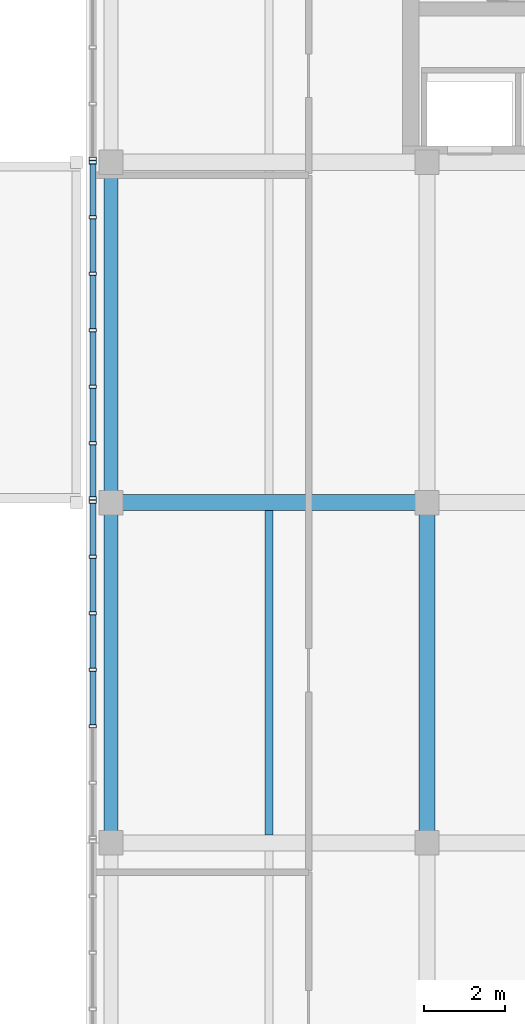
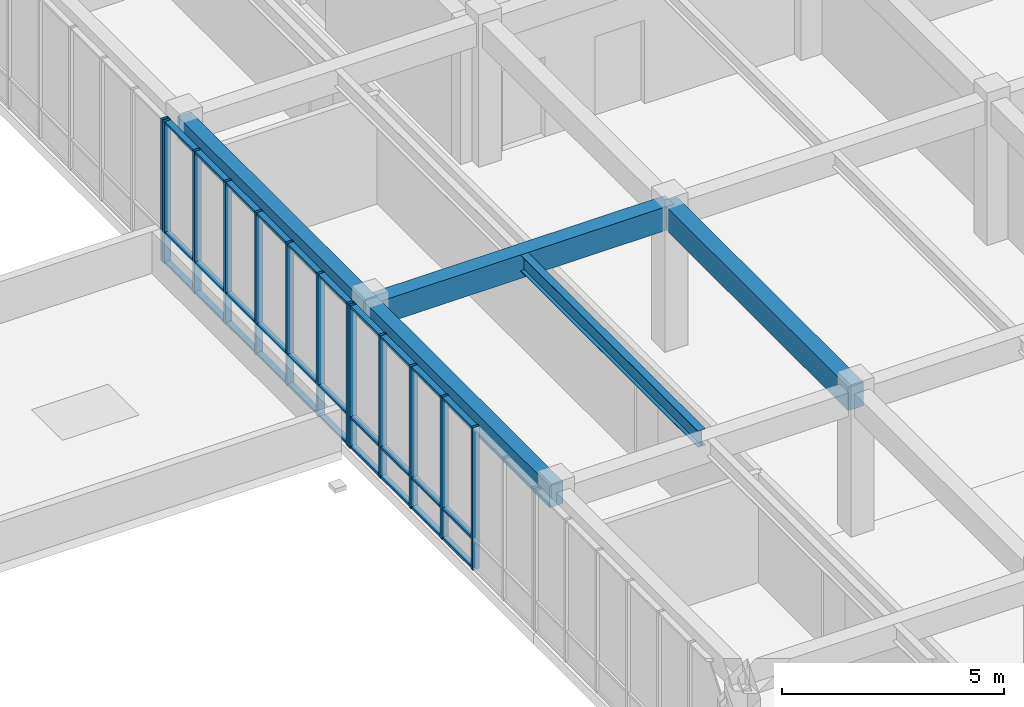
# One storey, part 57 of 123: 43 members, 5 beams, 3 elements without a shape of their own.
"""IFC4 building model written with IfcOpenShell, lengths in metres."""

from ifc_helpers import new_model, si_unit, direction, frame, origin, origin_2d, place, context, subcontext, project, spatial, rectangle, hollow_rectangle, i_section, extrude, material, layer, layer_set, material_profile, profile_set, type_object, element, aggregate, save


model = new_model("IFC4")

# Units and contexts
model_context = context("Model", 3, precision=1e-05, world=origin(), true_north=direction((0.0, 1.0)))
body_context = subcontext(model_context, "Body", "Model", "MODEL_VIEW")
ifc_project = project(units=[si_unit("LENGTHUNIT", "METRE"), si_unit("AREAUNIT", "SQUARE_METRE"), si_unit("VOLUMEUNIT", "CUBIC_METRE"), si_unit("PLANEANGLEUNIT", "RADIAN"), si_unit("MASSUNIT", "GRAM", prefix="KILO")], contexts=[model_context])

# Site, building, storey
site_placement = place(None, origin())
site = spatial("IfcSite", under=ifc_project, at=site_placement, CompositionType="ELEMENT")
building_placement = place(site_placement, origin())
building = spatial("IfcBuilding", under=site, at=building_placement, Name="Zayran Congress Hotel", CompositionType="ELEMENT")
storey_placement = place(building_placement, frame((0.0, 0.0, 15.0)))
storey = spatial("IfcBuildingStorey", under=building, at=storey_placement, Name="L03", CompositionType="ELEMENT", Elevation=15.0)

# Beams
ifc_material_1 = material(Name="Concrete C40/50", Category="concrete")
ifc_material_profile_1 = material_profile(ifc_material_1, rectangle(XDim=0.39990234375, YDim=0.64990234375, at=origin_2d()), Name="RC 400x650")
ifc_profile_set_1 = profile_set([ifc_material_profile_1], Name="Concrete C40/50")
beam_type_1 = type_object("IfcBeamType", Name="TP-BM-03", PredefinedType="BEAM", material=ifc_profile_set_1)
beam_1_placement = place(storey_placement, frame((109.800048828125, 76.0, 3.594970703125), z_axis=(1.0, 0.0, 0.0), x_axis=(0.0, 1.0, 0.0)))
element("IfcBeam", 1, at=beam_1_placement, inside=storey, type_object=beam_type_1, Name="BM-V4-L03-1503", PredefinedType="BEAM", context=body_context, shape_type="SweptSolid", body=[
    extrude(rectangle(XDim=0.39990234375, YDim=0.64990234375, at=origin_2d()), origin(), (0.0, 0.0, 1.0), 7.800048828125),
])
beam_2_placement = place(storey_placement, frame((117.60009765625, 67.60009765625, 3.594970703125), z_axis=(0.0, 1.0, 0.0), x_axis=(-1.0, 0.0, 0.0)))
element("IfcBeam", 2, at=beam_2_placement, inside=storey, type_object=beam_type_1, Name="BM-V4-L03-1524", PredefinedType="BEAM", context=body_context, shape_type="SweptSolid", body=[
    extrude(rectangle(XDim=0.39990234375, YDim=0.64990234375, at=origin_2d()), origin(), (0.0, 0.0, 1.0), 8.39990234375),
])
ifc_material_profile_2 = material_profile(ifc_material_1, rectangle(XDim=0.35009765625, YDim=0.60009765625, at=origin_2d()), Name="RC 350x600")
ifc_profile_set_2 = profile_set([ifc_material_profile_2], Name="Concrete C40/50")
beam_type_2 = type_object("IfcBeamType", Name="TP-SP-01", PredefinedType="SPANDREL", material=ifc_profile_set_2)
for number, where, z_axis, x_axis, name in (
    (3, (109.800048828125, 67.60009765625, 3.6201171875), (0.0, 1.0, 0.0), (-1.0, 0.0, 0.0), "BM-V4-L03-1518"),
    (4, (109.800048828125, 76.0, 3.6201171875), (0.0, 1.0, 0.0), (-1.0, 0.0, 0.0), "BM-V4-L03-1519"),
):
    element("IfcBeam", number, at=place(storey_placement, frame(where, z_axis=z_axis, x_axis=x_axis)), inside=storey, type_object=beam_type_2, Name=name, PredefinedType="SPANDREL", context=body_context, shape_type="SweptSolid", body=[
        extrude(rectangle(XDim=0.35009765625, YDim=0.60009765625, at=origin_2d()), origin(), (0.0, 0.0, 1.0), 8.39990234375),
    ])
ifc_material_2 = material(Name="Steel S355", Category="steel")
ifc_material_profile_3 = material_profile(ifc_material_2, i_section(OverallWidth=0.18994140625, OverallDepth=0.449951171875, WebThickness=0.009521484375, FlangeThickness=0.0146484375, at=origin_2d()), Name="IPE 450")
ifc_profile_set_3 = profile_set([ifc_material_profile_3], Name="Steel S355")
beam_type_3 = type_object("IfcBeamType", Name="TP-JS-02", PredefinedType="JOIST", material=ifc_profile_set_3)
beam_3_placement = place(storey_placement, frame((113.699951171875, 67.800048828125, 3.695068359375), z_axis=(0.0, 1.0, 0.0), x_axis=(-1.0, 0.0, 0.0)))
element("IfcBeam", 5, at=beam_3_placement, inside=storey, type_object=beam_type_3, Name="JST-V4-L03-1544", PredefinedType="JOIST", context=body_context, shape_type="SweptSolid", body=[
    extrude(i_section(OverallWidth=0.18994140625, OverallDepth=0.449951171875, WebThickness=0.009521484375, FlangeThickness=0.0146484375, at=origin_2d()), origin(), (0.0, 0.0, 1.0), 8.0),
])

# Curtain wall, members
ifc_material_3 = material(Name="Anodised aluminium and low-E insulated glass", Category="aluminium")
ifc_layer_1 = layer(ifc_material_3, 0.179931640625)
ifc_layer_set_1 = layer_set([ifc_layer_1], Name="Anodised aluminium and low-E insulated glass")
curtain_wall_type_1 = type_object("IfcCurtainWallType", Name="CW-V4W-L03-CW-51-8368-3920", PredefinedType="USERDEFINED", material=ifc_layer_set_1)
curtain_wall_1_placement = place(storey_placement, origin())
curtain_wall_1 = element("IfcCurtainWall", 6, at=curtain_wall_1_placement, inside=storey, type_object=curtain_wall_type_1, Name="CW-V4W-L03-3", ObjectType="CURTAIN WALL", PredefinedType="USERDEFINED")
ifc_material_4 = material(Name="Anodised aluminium framing", Category="aluminium")
ifc_material_profile_4 = material_profile(ifc_material_4, hollow_rectangle(XDim=0.080078125, YDim=0.179931640625, WallThickness=0.0048828125, at=origin_2d()), Name="RHS 180x80x5")
ifc_profile_set_4 = profile_set([ifc_material_profile_4], Name="Anodised aluminium framing")
member_type_1 = type_object("IfcMemberType", Name="TP-CWM-01", PredefinedType="MULLION", material=ifc_profile_set_4)
member_1_placement = place(storey_placement, frame((109.35009765625, 76.01904296875, 0.0), z_axis=(0.0, 0.0, 1.0), x_axis=(0.0, 1.0, 0.0)))
member_1 = element("IfcMember", 7, at=member_1_placement, type_object=member_type_1, Name="CW-V4W-L03-3-M00", PredefinedType="MULLION", context=body_context, shape_type="SweptSolid", body=[
    extrude(hollow_rectangle(XDim=0.080078125, YDim=0.179931640625, WallThickness=0.0048828125, at=origin_2d()), origin(), (0.0, 0.0, 1.0), 3.919921875),
])
member_2_placement = place(storey_placement, frame((109.35009765625, 74.664306640625, 0.0), z_axis=(0.0, 0.0, 1.0), x_axis=(0.0, 1.0, 0.0)))
member_2 = element("IfcMember", 8, at=member_2_placement, type_object=member_type_1, Name="CW-V4W-L03-3-M01", PredefinedType="MULLION", context=body_context, shape_type="SweptSolid", body=[
    extrude(hollow_rectangle(XDim=0.080078125, YDim=0.179931640625, WallThickness=0.0048828125, at=origin_2d()), origin(), (0.0, 0.0, 1.0), 3.919921875),
])
member_3_placement = place(storey_placement, frame((109.35009765625, 73.269775390625, 0.0), z_axis=(0.0, 0.0, 1.0), x_axis=(0.0, 1.0, 0.0)))
member_3 = element("IfcMember", 9, at=member_3_placement, type_object=member_type_1, Name="CW-V4W-L03-3-M02", PredefinedType="MULLION", context=body_context, shape_type="SweptSolid", body=[
    extrude(hollow_rectangle(XDim=0.080078125, YDim=0.179931640625, WallThickness=0.0048828125, at=origin_2d()), origin(), (0.0, 0.0, 1.0), 3.919921875),
])
member_4_placement = place(storey_placement, frame((109.35009765625, 71.875, 0.0), z_axis=(0.0, 0.0, 1.0), x_axis=(0.0, 1.0, 0.0)))
member_4 = element("IfcMember", 10, at=member_4_placement, type_object=member_type_1, Name="CW-V4W-L03-3-M03", PredefinedType="MULLION", context=body_context, shape_type="SweptSolid", body=[
    extrude(hollow_rectangle(XDim=0.080078125, YDim=0.179931640625, WallThickness=0.0048828125, at=origin_2d()), origin(), (0.0, 0.0, 1.0), 3.919921875),
])
member_5_placement = place(storey_placement, frame((109.35009765625, 70.480224609375, 0.0), z_axis=(0.0, 0.0, 1.0), x_axis=(0.0, 1.0, 0.0)))
member_5 = element("IfcMember", 11, at=member_5_placement, type_object=member_type_1, Name="CW-V4W-L03-3-M04", PredefinedType="MULLION", context=body_context, shape_type="SweptSolid", body=[
    extrude(hollow_rectangle(XDim=0.080078125, YDim=0.179931640625, WallThickness=0.0048828125, at=origin_2d()), origin(), (0.0, 0.0, 1.0), 3.919921875),
])

ifc_layer_2 = layer(ifc_material_3, 0.179931640625)
ifc_layer_set_2 = layer_set([ifc_layer_2], Name="Anodised aluminium and low-E insulated glass")
curtain_wall_type_2 = type_object("IfcCurtainWallType", Name="CW-V4W-L03-CW-52-8369-3920", PredefinedType="USERDEFINED", material=ifc_layer_set_2)
curtain_wall_2_placement = place(storey_placement, origin())
curtain_wall_2 = element("IfcCurtainWall", 12, at=curtain_wall_2_placement, inside=storey, type_object=curtain_wall_type_2, Name="CW-V4W-L03-4", ObjectType="CURTAIN WALL", PredefinedType="USERDEFINED")
member_6_placement = place(storey_placement, frame((109.35009765625, 84.39794921875, 0.0), z_axis=(0.0, 0.0, 1.0), x_axis=(0.0, 1.0, 0.0)))
member_6 = element("IfcMember", 13, at=member_6_placement, type_object=member_type_1, Name="CW-V4W-L03-4-M00", PredefinedType="MULLION", context=body_context, shape_type="SweptSolid", body=[
    extrude(hollow_rectangle(XDim=0.080078125, YDim=0.179931640625, WallThickness=0.0048828125, at=origin_2d()), origin(), (0.0, 0.0, 1.0), 3.919921875),
])
member_7_placement = place(storey_placement, frame((109.35009765625, 83.043212890625, 0.0), z_axis=(0.0, 0.0, 1.0), x_axis=(0.0, 1.0, 0.0)))
member_7 = element("IfcMember", 14, at=member_7_placement, type_object=member_type_1, Name="CW-V4W-L03-4-M01", PredefinedType="MULLION", context=body_context, shape_type="SweptSolid", body=[
    extrude(hollow_rectangle(XDim=0.080078125, YDim=0.179931640625, WallThickness=0.0048828125, at=origin_2d()), origin(), (0.0, 0.0, 1.0), 3.919921875),
])
member_8_placement = place(storey_placement, frame((109.35009765625, 81.648193359375, 0.0), z_axis=(0.0, 0.0, 1.0), x_axis=(0.0, 1.0, 0.0)))
member_8 = element("IfcMember", 15, at=member_8_placement, type_object=member_type_1, Name="CW-V4W-L03-4-M02", PredefinedType="MULLION", context=body_context, shape_type="SweptSolid", body=[
    extrude(hollow_rectangle(XDim=0.080078125, YDim=0.179931640625, WallThickness=0.0048828125, at=origin_2d()), origin(), (0.0, 0.0, 1.0), 3.919921875),
])
member_9_placement = place(storey_placement, frame((109.35009765625, 80.25341796875, 0.0), z_axis=(0.0, 0.0, 1.0), x_axis=(0.0, 1.0, 0.0)))
member_9 = element("IfcMember", 16, at=member_9_placement, type_object=member_type_1, Name="CW-V4W-L03-4-M03", PredefinedType="MULLION", context=body_context, shape_type="SweptSolid", body=[
    extrude(hollow_rectangle(XDim=0.080078125, YDim=0.179931640625, WallThickness=0.0048828125, at=origin_2d()), origin(), (0.0, 0.0, 1.0), 3.919921875),
])
member_10_placement = place(storey_placement, frame((109.35009765625, 78.858642578125, 0.0), z_axis=(0.0, 0.0, 1.0), x_axis=(0.0, 1.0, 0.0)))
member_10 = element("IfcMember", 17, at=member_10_placement, type_object=member_type_1, Name="CW-V4W-L03-4-M04", PredefinedType="MULLION", context=body_context, shape_type="SweptSolid", body=[
    extrude(hollow_rectangle(XDim=0.080078125, YDim=0.179931640625, WallThickness=0.0048828125, at=origin_2d()), origin(), (0.0, 0.0, 1.0), 3.919921875),
])
member_11_placement = place(storey_placement, frame((109.35009765625, 77.4638671875, 0.0), z_axis=(0.0, 0.0, 1.0), x_axis=(0.0, 1.0, 0.0)))
member_11 = element("IfcMember", 18, at=member_11_placement, type_object=member_type_1, Name="CW-V4W-L03-4-M05", PredefinedType="MULLION", context=body_context, shape_type="SweptSolid", body=[
    extrude(hollow_rectangle(XDim=0.080078125, YDim=0.179931640625, WallThickness=0.0048828125, at=origin_2d()), origin(), (0.0, 0.0, 1.0), 3.919921875),
])
member_12_placement = place(storey_placement, frame((109.35009765625, 76.10888671875, 0.0), z_axis=(0.0, 0.0, 1.0), x_axis=(0.0, 1.0, 0.0)))
member_12 = element("IfcMember", 19, at=member_12_placement, type_object=member_type_1, Name="CW-V4W-L03-4-M06", PredefinedType="MULLION", context=body_context, shape_type="SweptSolid", body=[
    extrude(hollow_rectangle(XDim=0.080078125, YDim=0.179931640625, WallThickness=0.0048828125, at=origin_2d()), origin(), (0.0, 0.0, 1.0), 3.919921875),
])

# Curtain wall, member
ifc_layer_3 = layer(ifc_material_3, 0.179931640625)
ifc_layer_set_3 = layer_set([ifc_layer_3], Name="Anodised aluminium and low-E insulated glass")
curtain_wall_type_3 = type_object("IfcCurtainWallType", Name="CW-V4W-L03-CW-53-8368-3920", PredefinedType="USERDEFINED", material=ifc_layer_set_3)
curtain_wall_3_placement = place(storey_placement, origin())
curtain_wall_3 = element("IfcCurtainWall", 20, at=curtain_wall_3_placement, inside=storey, type_object=curtain_wall_type_3, Name="CW-V4W-L03-5", ObjectType="CURTAIN WALL", PredefinedType="USERDEFINED")
member_13_placement = place(storey_placement, frame((109.35009765625, 84.488037109375, 0.0), z_axis=(0.0, 0.0, 1.0), x_axis=(0.0, 1.0, 0.0)))
member_13 = element("IfcMember", 21, at=member_13_placement, type_object=member_type_1, Name="CW-V4W-L03-5-M06", PredefinedType="MULLION", context=body_context, shape_type="SweptSolid", body=[
    extrude(hollow_rectangle(XDim=0.080078125, YDim=0.179931640625, WallThickness=0.0048828125, at=origin_2d()), origin(), (0.0, 0.0, 1.0), 3.919921875),
])
aggregate(curtain_wall_3, [member_13])

# Member
ifc_material_profile_5 = material_profile(ifc_material_4, hollow_rectangle(XDim=0.06005859375, YDim=0.14990234375, WallThickness=0.00390625, at=origin_2d()), Name="RHS 150x60x4")
ifc_profile_set_5 = profile_set([ifc_material_profile_5], Name="Anodised aluminium framing")
member_type_2 = type_object("IfcMemberType", Name="TP-CWT-01", PredefinedType="USERDEFINED", material=ifc_profile_set_5)
member_14_placement = place(storey_placement, frame((109.35009765625, 75.97900390625, 0.030029296875), z_axis=(0.0, -1.0, 0.0), x_axis=(0.0, 0.0, 1.0)))
member_14 = element("IfcMember", 22, at=member_14_placement, type_object=member_type_2, Name="CW-V4W-L03-3-T00-0", ObjectType="TRANSOM", PredefinedType="USERDEFINED", context=body_context, shape_type="SweptSolid", body=[
    extrude(hollow_rectangle(XDim=0.06005859375, YDim=0.14990234375, WallThickness=0.00390625, at=origin_2d()), origin(), (0.0, 0.0, 1.0), 1.274658203125),
])

member_15_placement = place(storey_placement, frame((109.35009765625, 75.97900390625, 0.840087890625), z_axis=(0.0, -1.0, 0.0), x_axis=(0.0, 0.0, 1.0)))
member_15 = element("IfcMember", 23, at=member_15_placement, type_object=member_type_2, Name="CW-V4W-L03-3-T00-1", ObjectType="TRANSOM", PredefinedType="USERDEFINED", context=body_context, shape_type="SweptSolid", body=[
    extrude(hollow_rectangle(XDim=0.06005859375, YDim=0.14990234375, WallThickness=0.00390625, at=origin_2d()), origin(), (0.0, 0.0, 1.0), 1.274658203125),
])

member_16_placement = place(storey_placement, frame((109.35009765625, 75.97900390625, 3.889892578125), z_axis=(0.0, -1.0, 0.0), x_axis=(0.0, 0.0, 1.0)))
member_16 = element("IfcMember", 24, at=member_16_placement, type_object=member_type_2, Name="CW-V4W-L03-3-T00-2", ObjectType="TRANSOM", PredefinedType="USERDEFINED", context=body_context, shape_type="SweptSolid", body=[
    extrude(hollow_rectangle(XDim=0.06005859375, YDim=0.14990234375, WallThickness=0.00390625, at=origin_2d()), origin(), (0.0, 0.0, 1.0), 1.274658203125),
])

member_17_placement = place(storey_placement, frame((109.35009765625, 74.624267578125, 0.030029296875), z_axis=(0.0, -1.0, 0.0), x_axis=(0.0, 0.0, 1.0)))
member_17 = element("IfcMember", 25, at=member_17_placement, type_object=member_type_2, Name="CW-V4W-L03-3-T01-0", ObjectType="TRANSOM", PredefinedType="USERDEFINED", context=body_context, shape_type="SweptSolid", body=[
    extrude(hollow_rectangle(XDim=0.06005859375, YDim=0.14990234375, WallThickness=0.00390625, at=origin_2d()), origin(), (0.0, 0.0, 1.0), 1.314453125),
])

member_18_placement = place(storey_placement, frame((109.35009765625, 74.624267578125, 0.840087890625), z_axis=(0.0, -1.0, 0.0), x_axis=(0.0, 0.0, 1.0)))
member_18 = element("IfcMember", 26, at=member_18_placement, type_object=member_type_2, Name="CW-V4W-L03-3-T01-1", ObjectType="TRANSOM", PredefinedType="USERDEFINED", context=body_context, shape_type="SweptSolid", body=[
    extrude(hollow_rectangle(XDim=0.06005859375, YDim=0.14990234375, WallThickness=0.00390625, at=origin_2d()), origin(), (0.0, 0.0, 1.0), 1.314453125),
])

member_19_placement = place(storey_placement, frame((109.35009765625, 74.624267578125, 3.889892578125), z_axis=(0.0, -1.0, 0.0), x_axis=(0.0, 0.0, 1.0)))
member_19 = element("IfcMember", 27, at=member_19_placement, type_object=member_type_2, Name="CW-V4W-L03-3-T01-2", ObjectType="TRANSOM", PredefinedType="USERDEFINED", context=body_context, shape_type="SweptSolid", body=[
    extrude(hollow_rectangle(XDim=0.06005859375, YDim=0.14990234375, WallThickness=0.00390625, at=origin_2d()), origin(), (0.0, 0.0, 1.0), 1.314453125),
])

member_20_placement = place(storey_placement, frame((109.35009765625, 73.229736328125, 0.030029296875), z_axis=(0.0, -1.0, 0.0), x_axis=(0.0, 0.0, 1.0)))
member_20 = element("IfcMember", 28, at=member_20_placement, type_object=member_type_2, Name="CW-V4W-L03-3-T02-0", ObjectType="TRANSOM", PredefinedType="USERDEFINED", context=body_context, shape_type="SweptSolid", body=[
    extrude(hollow_rectangle(XDim=0.06005859375, YDim=0.14990234375, WallThickness=0.00390625, at=origin_2d()), origin(), (0.0, 0.0, 1.0), 1.314697265625),
])

member_21_placement = place(storey_placement, frame((109.35009765625, 73.229736328125, 0.840087890625), z_axis=(0.0, -1.0, 0.0), x_axis=(0.0, 0.0, 1.0)))
member_21 = element("IfcMember", 29, at=member_21_placement, type_object=member_type_2, Name="CW-V4W-L03-3-T02-1", ObjectType="TRANSOM", PredefinedType="USERDEFINED", context=body_context, shape_type="SweptSolid", body=[
    extrude(hollow_rectangle(XDim=0.06005859375, YDim=0.14990234375, WallThickness=0.00390625, at=origin_2d()), origin(), (0.0, 0.0, 1.0), 1.314697265625),
])

member_22_placement = place(storey_placement, frame((109.35009765625, 73.229736328125, 3.889892578125), z_axis=(0.0, -1.0, 0.0), x_axis=(0.0, 0.0, 1.0)))
member_22 = element("IfcMember", 30, at=member_22_placement, type_object=member_type_2, Name="CW-V4W-L03-3-T02-2", ObjectType="TRANSOM", PredefinedType="USERDEFINED", context=body_context, shape_type="SweptSolid", body=[
    extrude(hollow_rectangle(XDim=0.06005859375, YDim=0.14990234375, WallThickness=0.00390625, at=origin_2d()), origin(), (0.0, 0.0, 1.0), 1.314697265625),
])

member_23_placement = place(storey_placement, frame((109.35009765625, 71.8349609375, 0.030029296875), z_axis=(0.0, -1.0, 0.0), x_axis=(0.0, 0.0, 1.0)))
member_23 = element("IfcMember", 31, at=member_23_placement, type_object=member_type_2, Name="CW-V4W-L03-3-T03-0", ObjectType="TRANSOM", PredefinedType="USERDEFINED", context=body_context, shape_type="SweptSolid", body=[
    extrude(hollow_rectangle(XDim=0.06005859375, YDim=0.14990234375, WallThickness=0.00390625, at=origin_2d()), origin(), (0.0, 0.0, 1.0), 1.314697265625),
])

member_24_placement = place(storey_placement, frame((109.35009765625, 71.8349609375, 0.840087890625), z_axis=(0.0, -1.0, 0.0), x_axis=(0.0, 0.0, 1.0)))
member_24 = element("IfcMember", 32, at=member_24_placement, type_object=member_type_2, Name="CW-V4W-L03-3-T03-1", ObjectType="TRANSOM", PredefinedType="USERDEFINED", context=body_context, shape_type="SweptSolid", body=[
    extrude(hollow_rectangle(XDim=0.06005859375, YDim=0.14990234375, WallThickness=0.00390625, at=origin_2d()), origin(), (0.0, 0.0, 1.0), 1.314697265625),
])

member_25_placement = place(storey_placement, frame((109.35009765625, 71.8349609375, 3.889892578125), z_axis=(0.0, -1.0, 0.0), x_axis=(0.0, 0.0, 1.0)))
member_25 = element("IfcMember", 33, at=member_25_placement, type_object=member_type_2, Name="CW-V4W-L03-3-T03-2", ObjectType="TRANSOM", PredefinedType="USERDEFINED", context=body_context, shape_type="SweptSolid", body=[
    extrude(hollow_rectangle(XDim=0.06005859375, YDim=0.14990234375, WallThickness=0.00390625, at=origin_2d()), origin(), (0.0, 0.0, 1.0), 1.314697265625),
])

aggregate(curtain_wall_1, [member_1, member_2, member_3, member_4, member_5, member_14, member_15, member_16, member_17, member_18, member_19, member_20, member_21, member_22, member_23, member_24, member_25])

member_26_placement = place(storey_placement, frame((109.35009765625, 84.35791015625, 0.030029296875), z_axis=(0.0, -1.0, 0.0), x_axis=(0.0, 0.0, 1.0)))
member_26 = element("IfcMember", 34, at=member_26_placement, type_object=member_type_2, Name="CW-V4W-L03-4-T00-0", ObjectType="TRANSOM", PredefinedType="USERDEFINED", context=body_context, shape_type="SweptSolid", body=[
    extrude(hollow_rectangle(XDim=0.06005859375, YDim=0.14990234375, WallThickness=0.00390625, at=origin_2d()), origin(), (0.0, 0.0, 1.0), 1.274658203125),
])

member_27_placement = place(storey_placement, frame((109.35009765625, 84.35791015625, 0.840087890625), z_axis=(0.0, -1.0, 0.0), x_axis=(0.0, 0.0, 1.0)))
member_27 = element("IfcMember", 35, at=member_27_placement, type_object=member_type_2, Name="CW-V4W-L03-4-T00-1", ObjectType="TRANSOM", PredefinedType="USERDEFINED", context=body_context, shape_type="SweptSolid", body=[
    extrude(hollow_rectangle(XDim=0.06005859375, YDim=0.14990234375, WallThickness=0.00390625, at=origin_2d()), origin(), (0.0, 0.0, 1.0), 1.274658203125),
])

member_28_placement = place(storey_placement, frame((109.35009765625, 84.35791015625, 3.889892578125), z_axis=(0.0, -1.0, 0.0), x_axis=(0.0, 0.0, 1.0)))
member_28 = element("IfcMember", 36, at=member_28_placement, type_object=member_type_2, Name="CW-V4W-L03-4-T00-2", ObjectType="TRANSOM", PredefinedType="USERDEFINED", context=body_context, shape_type="SweptSolid", body=[
    extrude(hollow_rectangle(XDim=0.06005859375, YDim=0.14990234375, WallThickness=0.00390625, at=origin_2d()), origin(), (0.0, 0.0, 1.0), 1.274658203125),
])

member_29_placement = place(storey_placement, frame((109.35009765625, 83.003173828125, 0.030029296875), z_axis=(0.0, -1.0, 0.0), x_axis=(0.0, 0.0, 1.0)))
member_29 = element("IfcMember", 37, at=member_29_placement, type_object=member_type_2, Name="CW-V4W-L03-4-T01-0", ObjectType="TRANSOM", PredefinedType="USERDEFINED", context=body_context, shape_type="SweptSolid", body=[
    extrude(hollow_rectangle(XDim=0.06005859375, YDim=0.14990234375, WallThickness=0.00390625, at=origin_2d()), origin(), (0.0, 0.0, 1.0), 1.31494140625),
])

member_30_placement = place(storey_placement, frame((109.35009765625, 83.003173828125, 0.840087890625), z_axis=(0.0, -1.0, 0.0), x_axis=(0.0, 0.0, 1.0)))
member_30 = element("IfcMember", 38, at=member_30_placement, type_object=member_type_2, Name="CW-V4W-L03-4-T01-1", ObjectType="TRANSOM", PredefinedType="USERDEFINED", context=body_context, shape_type="SweptSolid", body=[
    extrude(hollow_rectangle(XDim=0.06005859375, YDim=0.14990234375, WallThickness=0.00390625, at=origin_2d()), origin(), (0.0, 0.0, 1.0), 1.31494140625),
])

member_31_placement = place(storey_placement, frame((109.35009765625, 83.003173828125, 3.889892578125), z_axis=(0.0, -1.0, 0.0), x_axis=(0.0, 0.0, 1.0)))
member_31 = element("IfcMember", 39, at=member_31_placement, type_object=member_type_2, Name="CW-V4W-L03-4-T01-2", ObjectType="TRANSOM", PredefinedType="USERDEFINED", context=body_context, shape_type="SweptSolid", body=[
    extrude(hollow_rectangle(XDim=0.06005859375, YDim=0.14990234375, WallThickness=0.00390625, at=origin_2d()), origin(), (0.0, 0.0, 1.0), 1.31494140625),
])

member_32_placement = place(storey_placement, frame((109.35009765625, 81.6083984375, 0.030029296875), z_axis=(0.0, -1.0, 0.0), x_axis=(0.0, 0.0, 1.0)))
member_32 = element("IfcMember", 40, at=member_32_placement, type_object=member_type_2, Name="CW-V4W-L03-4-T02-0", ObjectType="TRANSOM", PredefinedType="USERDEFINED", context=body_context, shape_type="SweptSolid", body=[
    extrude(hollow_rectangle(XDim=0.06005859375, YDim=0.14990234375, WallThickness=0.00390625, at=origin_2d()), origin(), (0.0, 0.0, 1.0), 1.31494140625),
])

member_33_placement = place(storey_placement, frame((109.35009765625, 81.6083984375, 0.840087890625), z_axis=(0.0, -1.0, 0.0), x_axis=(0.0, 0.0, 1.0)))
member_33 = element("IfcMember", 41, at=member_33_placement, type_object=member_type_2, Name="CW-V4W-L03-4-T02-1", ObjectType="TRANSOM", PredefinedType="USERDEFINED", context=body_context, shape_type="SweptSolid", body=[
    extrude(hollow_rectangle(XDim=0.06005859375, YDim=0.14990234375, WallThickness=0.00390625, at=origin_2d()), origin(), (0.0, 0.0, 1.0), 1.31494140625),
])

member_34_placement = place(storey_placement, frame((109.35009765625, 81.6083984375, 3.889892578125), z_axis=(0.0, -1.0, 0.0), x_axis=(0.0, 0.0, 1.0)))
member_34 = element("IfcMember", 42, at=member_34_placement, type_object=member_type_2, Name="CW-V4W-L03-4-T02-2", ObjectType="TRANSOM", PredefinedType="USERDEFINED", context=body_context, shape_type="SweptSolid", body=[
    extrude(hollow_rectangle(XDim=0.06005859375, YDim=0.14990234375, WallThickness=0.00390625, at=origin_2d()), origin(), (0.0, 0.0, 1.0), 1.31494140625),
])

member_35_placement = place(storey_placement, frame((109.35009765625, 80.21337890625, 0.030029296875), z_axis=(0.0, -1.0, 0.0), x_axis=(0.0, 0.0, 1.0)))
member_35 = element("IfcMember", 43, at=member_35_placement, type_object=member_type_2, Name="CW-V4W-L03-4-T03-0", ObjectType="TRANSOM", PredefinedType="USERDEFINED", context=body_context, shape_type="SweptSolid", body=[
    extrude(hollow_rectangle(XDim=0.06005859375, YDim=0.14990234375, WallThickness=0.00390625, at=origin_2d()), origin(), (0.0, 0.0, 1.0), 1.314697265625),
])

member_36_placement = place(storey_placement, frame((109.35009765625, 80.21337890625, 0.840087890625), z_axis=(0.0, -1.0, 0.0), x_axis=(0.0, 0.0, 1.0)))
member_36 = element("IfcMember", 44, at=member_36_placement, type_object=member_type_2, Name="CW-V4W-L03-4-T03-1", ObjectType="TRANSOM", PredefinedType="USERDEFINED", context=body_context, shape_type="SweptSolid", body=[
    extrude(hollow_rectangle(XDim=0.06005859375, YDim=0.14990234375, WallThickness=0.00390625, at=origin_2d()), origin(), (0.0, 0.0, 1.0), 1.314697265625),
])

member_37_placement = place(storey_placement, frame((109.35009765625, 80.21337890625, 3.889892578125), z_axis=(0.0, -1.0, 0.0), x_axis=(0.0, 0.0, 1.0)))
member_37 = element("IfcMember", 45, at=member_37_placement, type_object=member_type_2, Name="CW-V4W-L03-4-T03-2", ObjectType="TRANSOM", PredefinedType="USERDEFINED", context=body_context, shape_type="SweptSolid", body=[
    extrude(hollow_rectangle(XDim=0.06005859375, YDim=0.14990234375, WallThickness=0.00390625, at=origin_2d()), origin(), (0.0, 0.0, 1.0), 1.314697265625),
])

member_38_placement = place(storey_placement, frame((109.35009765625, 78.818603515625, 0.030029296875), z_axis=(0.0, -1.0, 0.0), x_axis=(0.0, 0.0, 1.0)))
member_38 = element("IfcMember", 46, at=member_38_placement, type_object=member_type_2, Name="CW-V4W-L03-4-T04-0", ObjectType="TRANSOM", PredefinedType="USERDEFINED", context=body_context, shape_type="SweptSolid", body=[
    extrude(hollow_rectangle(XDim=0.06005859375, YDim=0.14990234375, WallThickness=0.00390625, at=origin_2d()), origin(), (0.0, 0.0, 1.0), 1.314697265625),
])

member_39_placement = place(storey_placement, frame((109.35009765625, 78.818603515625, 0.840087890625), z_axis=(0.0, -1.0, 0.0), x_axis=(0.0, 0.0, 1.0)))
member_39 = element("IfcMember", 47, at=member_39_placement, type_object=member_type_2, Name="CW-V4W-L03-4-T04-1", ObjectType="TRANSOM", PredefinedType="USERDEFINED", context=body_context, shape_type="SweptSolid", body=[
    extrude(hollow_rectangle(XDim=0.06005859375, YDim=0.14990234375, WallThickness=0.00390625, at=origin_2d()), origin(), (0.0, 0.0, 1.0), 1.314697265625),
])

member_40_placement = place(storey_placement, frame((109.35009765625, 78.818603515625, 3.889892578125), z_axis=(0.0, -1.0, 0.0), x_axis=(0.0, 0.0, 1.0)))
member_40 = element("IfcMember", 48, at=member_40_placement, type_object=member_type_2, Name="CW-V4W-L03-4-T04-2", ObjectType="TRANSOM", PredefinedType="USERDEFINED", context=body_context, shape_type="SweptSolid", body=[
    extrude(hollow_rectangle(XDim=0.06005859375, YDim=0.14990234375, WallThickness=0.00390625, at=origin_2d()), origin(), (0.0, 0.0, 1.0), 1.314697265625),
])

member_41_placement = place(storey_placement, frame((109.35009765625, 77.423828125, 0.030029296875), z_axis=(0.0, -1.0, 0.0), x_axis=(0.0, 0.0, 1.0)))
member_41 = element("IfcMember", 49, at=member_41_placement, type_object=member_type_2, Name="CW-V4W-L03-4-T05-0", ObjectType="TRANSOM", PredefinedType="USERDEFINED", context=body_context, shape_type="SweptSolid", body=[
    extrude(hollow_rectangle(XDim=0.06005859375, YDim=0.14990234375, WallThickness=0.00390625, at=origin_2d()), origin(), (0.0, 0.0, 1.0), 1.27490234375),
])

member_42_placement = place(storey_placement, frame((109.35009765625, 77.423828125, 0.840087890625), z_axis=(0.0, -1.0, 0.0), x_axis=(0.0, 0.0, 1.0)))
member_42 = element("IfcMember", 50, at=member_42_placement, type_object=member_type_2, Name="CW-V4W-L03-4-T05-1", ObjectType="TRANSOM", PredefinedType="USERDEFINED", context=body_context, shape_type="SweptSolid", body=[
    extrude(hollow_rectangle(XDim=0.06005859375, YDim=0.14990234375, WallThickness=0.00390625, at=origin_2d()), origin(), (0.0, 0.0, 1.0), 1.27490234375),
])

member_43_placement = place(storey_placement, frame((109.35009765625, 77.423828125, 3.889892578125), z_axis=(0.0, -1.0, 0.0), x_axis=(0.0, 0.0, 1.0)))
member_43 = element("IfcMember", 51, at=member_43_placement, type_object=member_type_2, Name="CW-V4W-L03-4-T05-2", ObjectType="TRANSOM", PredefinedType="USERDEFINED", context=body_context, shape_type="SweptSolid", body=[
    extrude(hollow_rectangle(XDim=0.06005859375, YDim=0.14990234375, WallThickness=0.00390625, at=origin_2d()), origin(), (0.0, 0.0, 1.0), 1.27490234375),
])

aggregate(curtain_wall_2, [member_6, member_7, member_8, member_9, member_10, member_11, member_12, member_26, member_27, member_28, member_29, member_30, member_31, member_32, member_33, member_34, member_35, member_36, member_37, member_38, member_39, member_40, member_41, member_42, member_43])

save(model, "model.ifc")
